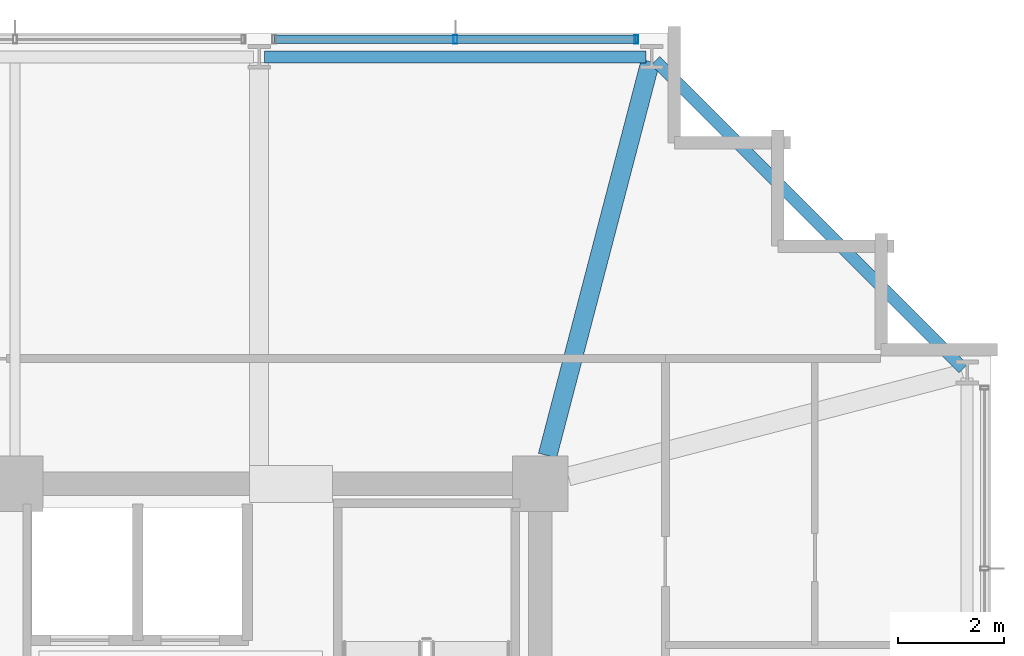
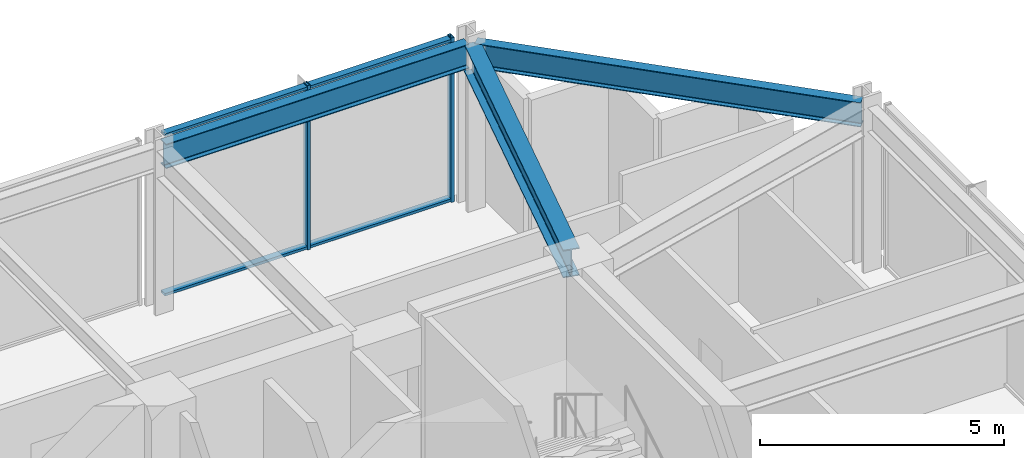
# One storey, part 17 of 26: 4 members, 3 beams, 1 element without a shape of its own.
"""IFC4 building model written with IfcOpenShell, lengths in metres."""

import ifcopenshell
import ifcopenshell.guid

model = None  # the IFC model being written
_history = None  # IfcOwnerHistory: only IFC2X3 demands one
_inside = {}  # id of a spatial element -> (the spatial element, [elements in it])
_under = {}  # id of a project, library or spatial element -> (it, [spatial elements below it])
_declared = {}  # id of a project -> (the project, [libraries it declares])
_typed = {}  # id of a type object -> (the type object, [elements of that type])
_made_of = {}  # id of a material, layer set ... -> (it, [elements and type objects made of it])


def new_model(schema):
    """Start an empty IFC model of exactly this schema.

    Asked for "IFC4X3", IfcOpenShell would pick the latest addendum, in which some entities
    have other attributes; the version numbers below select the first issue.
    IFC2X3 requires an IfcOwnerHistory on every rooted entity: one is made here for all.
    """
    global model, _history
    if schema == "IFC4X3":
        model = ifcopenshell.file(schema_version=(4, 3, 0, 0))
    else:
        model = ifcopenshell.file(schema=schema)
    _inside.clear()
    _under.clear()
    _declared.clear()
    _typed.clear()
    _made_of.clear()
    _history = None
    if model.schema == "IFC2X3":
        org = make("IfcOrganization", Name="unknown")
        user = make(
            "IfcPersonAndOrganization",
            ThePerson=make("IfcPerson", FamilyName="unknown"),
            TheOrganization=org,
        )
        app = make(
            "IfcApplication",
            ApplicationDeveloper=org,
            Version="unknown",
            ApplicationFullName="unknown",
            ApplicationIdentifier="unknown",
        )
        _history = make(
            "IfcOwnerHistory",
            OwningUser=user,
            OwningApplication=app,
            ChangeAction="ADDED",
            CreationDate=0,
        )
    return model


def make(cls, **values):
    """One entity of the class cls with the attributes given. An attribute that is None is left unset."""
    return model.create_entity(
        cls, **{name: value for name, value in values.items() if value is not None}
    )


def rooted(cls, **values):
    """An entity with a GlobalId (a new one), such as an element, a storey or a relation."""
    return make(cls, GlobalId=ifcopenshell.guid.new(), OwnerHistory=_history, **values)


def si_unit(unit_type, name, prefix=None):
    """IfcSIUnit, for example si_unit("LENGTHUNIT", "METRE", prefix="MILLI")."""
    return make("IfcSIUnit", UnitType=unit_type, Prefix=prefix, Name=name)


def assignment(units):
    """IfcUnitAssignment: the units of a project."""
    return None if units is None else make("IfcUnitAssignment", Units=units)


def point(xyz):
    """IfcCartesianPoint."""
    return None if xyz is None else make("IfcCartesianPoint", Coordinates=xyz)


def direction(xyz):
    """IfcDirection."""
    return None if xyz is None else make("IfcDirection", DirectionRatios=xyz)


def frame(location, z_axis=None, x_axis=None):
    """IfcAxis2Placement3D, a coordinate frame: its origin and axes. An axis left out is left unset."""
    return make(
        "IfcAxis2Placement3D",
        Location=point(location),
        Axis=direction(z_axis),
        RefDirection=direction(x_axis),
    )


def frame_2d(location, x_axis=None):
    """IfcAxis2Placement2D, a coordinate frame in the plane: its origin and x axis."""
    return make(
        "IfcAxis2Placement2D", Location=point(location), RefDirection=direction(x_axis)
    )


def origin():
    """The frame at (0, 0, 0) with its axes left unset."""
    return frame((0.0, 0.0, 0.0))


def origin_2d():
    """The frame at (0, 0) in the plane with its x axis left unset."""
    return frame_2d((0.0, 0.0))


def place(relative_to, where):
    """IfcLocalPlacement: puts the frame where relative to a parent placement (None: the world)."""
    return make(
        "IfcLocalPlacement", PlacementRelTo=relative_to, RelativePlacement=where
    )


def context(
    kind, dimensions, precision=None, world=None, true_north=None, identifier=None
):
    """IfcGeometricRepresentationContext, for example the 3D "Model" context."""
    return make(
        "IfcGeometricRepresentationContext",
        ContextIdentifier=identifier,
        ContextType=kind,
        CoordinateSpaceDimension=dimensions,
        Precision=precision,
        WorldCoordinateSystem=world,
        TrueNorth=true_north,
    )


def subcontext(parent, identifier, kind, view, scale=None):
    """IfcGeometricRepresentationSubContext, for example "Body" below "Model"."""
    return make(
        "IfcGeometricRepresentationSubContext",
        ContextIdentifier=identifier,
        ContextType=kind,
        ParentContext=parent,
        TargetScale=scale,
        TargetView=view,
    )


def project(units=None, contexts=None):
    """IfcProject with its units and contexts."""
    return rooted(
        "IfcProject",
        Name="project",
        RepresentationContexts=contexts,
        UnitsInContext=assignment(units),
    )


def spatial(cls, under=None, at=None, **own):
    """A site, building, storey or space (cls), placed at a placement, below another one or the project."""
    s = rooted(cls, ObjectPlacement=at, **own)
    if under is not None:
        _under.setdefault(under.id(), (under, []))[1].append(s)
    return s


def profile(cls, at=None, kind="AREA", **sizes):
    """A parametric profile (cls). Its sizes go by their IFC names, for example OverallWidth=200.0."""
    return make(cls, ProfileType=kind, Position=at, **sizes)


def hollow_rectangle(**sizes):
    """IfcRectangleHollowProfileDef."""
    return profile("IfcRectangleHollowProfileDef", **sizes)


def i_section(**sizes):
    """IfcIShapeProfileDef."""
    return profile("IfcIShapeProfileDef", **sizes)


def extrude(swept, where, along, depth):
    """IfcExtrudedAreaSolid: the profile swept, set in the frame where, extruded along a direction by depth."""
    return make(
        "IfcExtrudedAreaSolid",
        SweptArea=swept,
        Position=where,
        ExtrudedDirection=direction(along),
        Depth=depth,
    )


def shape(context_of_items, identifier, shape_type, items):
    """IfcShapeRepresentation: the items that make up one representation, for example the "Body"."""
    return make(
        "IfcShapeRepresentation",
        ContextOfItems=context_of_items,
        RepresentationIdentifier=identifier,
        RepresentationType=shape_type,
        Items=items,
    )


def material(Name=None, Category=None):
    """IfcMaterial."""
    return make("IfcMaterial", Name=Name, Category=Category)


def material_profile(
    of_material, cross_section, Name=None, Category=None, Priority=None
):
    """IfcMaterialProfile: a cross section and its material."""
    return make(
        "IfcMaterialProfile",
        Name=Name,
        Material=of_material,
        Profile=cross_section,
        Priority=Priority,
        Category=Category,
    )


def profile_set(profiles, Name=None, composite=None):
    """IfcMaterialProfileSet."""
    return make(
        "IfcMaterialProfileSet",
        Name=Name,
        MaterialProfiles=profiles,
        CompositeProfile=composite,
    )


def made_of(thing, what):
    """Note that an element or type object is made of a material, layer set ...; save() writes the relation."""
    if what is not None:
        _made_of.setdefault(what.id(), (what, []))[1].append(thing)
    return thing


def type_object(cls, material=None, **own):
    """A type object (cls), such as IfcWallType, which elements share."""
    return made_of(rooted(cls, **own), material)


def element(
    cls,
    number,
    at=None,
    inside=None,
    cuts=None,
    type_object=None,
    material=None,
    context=None,
    identifier="Body",
    shape_type=None,
    held_by="IfcProductDefinitionShape",
    body=None,
    shapes=None,
    **own,
):
    """One element of the class cls, such as IfcWall. Its Tag is "e" and its number.

    at: its placement. inside: the storey or other place that contains it. cuts: it is an
    opening in that element (IfcRelVoidsElement). A single representation is given by context,
    identifier, shape_type and body (its items); several are given by shapes. held_by: the class
    of the entity that holds the representations. save() writes the other relations.
    """
    e = rooted(cls, Tag="e%d" % number, ObjectPlacement=at, **own)
    if body is not None:
        shapes = [shape(context, identifier, shape_type, body)]
    if shapes is not None:
        e.Representation = make(held_by, Representations=shapes)
    if inside is not None:
        _inside.setdefault(inside.id(), (inside, []))[1].append(e)
    if cuts is not None:
        rooted(
            "IfcRelVoidsElement", RelatingBuildingElement=cuts, RelatedOpeningElement=e
        )
    if type_object is not None:
        _typed.setdefault(type_object.id(), (type_object, []))[1].append(e)
    return made_of(e, material)


def aggregate(whole, parts):
    """IfcRelAggregates: a whole, such as a stair, and the parts it consists of."""
    return rooted("IfcRelAggregates", RelatingObject=whole, RelatedObjects=parts)


def save(model, path):
    """Write the relations noted so far, then the file.

    IfcRelAggregates (storeys below a building ...), IfcRelContainedInSpatialStructure (elements
    in a storey), IfcRelDefinesByType, IfcRelAssociatesMaterial and IfcRelDeclares: one each for
    every whole, place, type object, material and project.
    """
    for whole, parts in _under.values():
        aggregate(whole, parts)
    for where, things in _inside.values():
        rooted(
            "IfcRelContainedInSpatialStructure",
            RelatedElements=things,
            RelatingStructure=where,
        )
    for kind, things in _typed.values():
        rooted("IfcRelDefinesByType", RelatedObjects=things, RelatingType=kind)
    for what, things in _made_of.values():
        rooted("IfcRelAssociatesMaterial", RelatedObjects=things, RelatingMaterial=what)
    for by, libraries in _declared.values():
        rooted("IfcRelDeclares", RelatingContext=by, RelatedDefinitions=libraries)
    model.write(path)


model = new_model("IFC4")

# Units and contexts
model_context = context("Model", 3, precision=1e-05, world=origin(), true_north=direction((0.0, 1.0)))
body_context = subcontext(model_context, "Body", "Model", "MODEL_VIEW")
ifc_project = project(units=[si_unit("LENGTHUNIT", "METRE"), si_unit("AREAUNIT", "SQUARE_METRE"), si_unit("VOLUMEUNIT", "CUBIC_METRE"), si_unit("PLANEANGLEUNIT", "RADIAN"), si_unit("MASSUNIT", "GRAM", prefix="KILO")], contexts=[model_context])

# Site, building, storey
site_placement = place(None, origin())
site = spatial("IfcSite", under=ifc_project, at=site_placement, CompositionType="ELEMENT")
building_placement = place(site_placement, origin())
building = spatial("IfcBuilding", under=site, at=building_placement, Name="Kolvaren Belvedere", CompositionType="ELEMENT")
storey_placement = place(building_placement, frame((0.0, 0.0, 258.39990234375)))
storey = spatial("IfcBuildingStorey", under=building, at=storey_placement, Name="L75", CompositionType="ELEMENT", Elevation=258.39990234375)

# Beams
ifc_material_1 = material(Name="Structural steel ASTM A992 Grade 50", Category="steel")
ifc_material_profile_1 = material_profile(ifc_material_1, i_section(OverallWidth=0.35498046875, OverallDepth=0.696044921875, WebThickness=0.015380859375, FlangeThickness=0.02490234375, FilletRadius=0.02197265625, at=origin_2d()), Name="W27X146")
ifc_profile_set_1 = profile_set([ifc_material_profile_1], Name="Structural steel ASTM A992 Grade 50")
beam_type_1 = type_object("IfcBeamType", Name="BM-GIRD-W27X146", PredefinedType="BEAM", material=ifc_profile_set_1)
beam_1_placement = place(storey_placement, frame((10.038818359375, 10.43212890625, 3.772216796875), z_axis=(0.252423191796, 0.967616934661, 0.0), x_axis=(-0.967616934661, 0.252423191796, 0.0)))
element("IfcBeam", 1, at=beam_1_placement, inside=storey, type_object=beam_type_1, Name="L75 Corner Core-to-Perimeter Girder CC3-N4", PredefinedType="BEAM", context=body_context, shape_type="SweptSolid", body=[
    extrude(i_section(OverallWidth=0.35498046875, OverallDepth=0.696044921875, WebThickness=0.015380859375, FlangeThickness=0.02490234375, FilletRadius=0.02197265625, at=origin_2d()), origin(), (0.0, 0.0, 1.0), 7.676513671875),
])
ifc_material_2 = material(Name="Structural steel ASTM A992 Grade 50", Category="steel")
ifc_material_profile_2 = material_profile(ifc_material_2, i_section(OverallWidth=0.22900390625, OverallDepth=0.612060546875, WebThickness=0.011962890625, FlangeThickness=0.01953125, FilletRadius=0.01806640625, at=origin_2d()), Name="W24X84")
ifc_profile_set_2 = profile_set([ifc_material_profile_2], Name="Structural steel ASTM A992 Grade 50")
beam_type_2 = type_object("IfcBeamType", Name="BM-SPAN-W24X84", PredefinedType="SPANDREL", material=ifc_profile_set_2)
beam_2_placement = place(storey_placement, frame((17.8759765625, 12.073974609375, 3.814208984375), z_axis=(-0.707106781187, 0.707106781187, 0.0), x_axis=(-0.707106781187, -0.707106781187, 0.0)))
element("IfcBeam", 2, at=beam_2_placement, inside=storey, type_object=beam_type_2, Name="L75 Perimeter Spandrel E4-N4", PredefinedType="SPANDREL", context=body_context, shape_type="SweptSolid", body=[
    extrude(i_section(OverallWidth=0.22900390625, OverallDepth=0.612060546875, WebThickness=0.011962890625, FlangeThickness=0.01953125, FilletRadius=0.01806640625, at=origin_2d()), origin(), (0.0, 0.0, 1.0), 8.205322265625),
])
beam_3_placement = place(storey_placement, frame((11.8955078125, 17.949951171875, 3.814208984375), z_axis=(-1.0, 0.0, 0.0), x_axis=(0.0, -1.0, 0.0)))
element("IfcBeam", 3, at=beam_3_placement, inside=storey, type_object=beam_type_2, Name="L75 Perimeter Spandrel N4-N3", PredefinedType="SPANDREL", context=body_context, shape_type="SweptSolid", body=[
    extrude(i_section(OverallWidth=0.22900390625, OverallDepth=0.612060546875, WebThickness=0.011962890625, FlangeThickness=0.01953125, FilletRadius=0.01806640625, at=origin_2d()), origin(), (0.0, 0.0, 1.0), 7.19091796875),
])

# Curtain wall, members
ifc_material_3 = material(Name="Anodised pale-metal aluminium AA 6063-T6", Category="aluminium")
curtain_wall_type = type_object("IfcCurtainWallType", Name="CW-CRN-OBS", PredefinedType="NOTDEFINED", material=ifc_material_3)
curtain_wall_placement = place(storey_placement, origin())
curtain_wall = element("IfcCurtainWall", 4, at=curtain_wall_placement, inside=storey, type_object=curtain_wall_type, Name="L75 Unitised Curtain Wall FCW-L75-N-B3", PredefinedType="NOTDEFINED")
ifc_material_4 = material(Name="Anodised pale-metal aluminium AA 6063-T6", Category="aluminium")
ifc_material_profile_3 = material_profile(ifc_material_4, hollow_rectangle(XDim=0.074951171875, YDim=0.159912109375, WallThickness=0.00439453125, at=origin_2d()), Name="ALU-MUL-160X75")
ifc_profile_set_3 = profile_set([ifc_material_profile_3], Name="Anodised pale-metal aluminium AA 6063-T6")
member_type_1 = type_object("IfcMemberType", Name="CW-MUL-160", PredefinedType="MULLION", material=ifc_profile_set_3)
member_1_placement = place(storey_placement, frame((8.300048828125, 18.280029296875, 0.0), z_axis=(0.0, 0.0, 1.0), x_axis=(1.0, 0.0, 0.0)))
member_1 = element("IfcMember", 5, at=member_1_placement, type_object=member_type_1, Name="FCW-L75-N-B3 Unitised Mullion 2", PredefinedType="MULLION", context=body_context, shape_type="SweptSolid", body=[
    extrude(hollow_rectangle(XDim=0.074951171875, YDim=0.159912109375, WallThickness=0.00439453125, at=origin_2d()), origin(), (0.0, 0.0, 1.0), 4.1201171875),
])
member_2_placement = place(storey_placement, frame((11.7099609375, 18.280029296875, 0.0), z_axis=(0.0, 0.0, 1.0), x_axis=(1.0, 0.0, 0.0)))
member_2 = element("IfcMember", 6, at=member_2_placement, type_object=member_type_1, Name="FCW-L75-N-B3 Unitised Mullion 3", PredefinedType="MULLION", context=body_context, shape_type="SweptSolid", body=[
    extrude(hollow_rectangle(XDim=0.074951171875, YDim=0.159912109375, WallThickness=0.00439453125, at=origin_2d()), origin(), (0.0, 0.0, 1.0), 4.1201171875),
])
ifc_material_5 = material(Name="Anodised pale-metal aluminium AA 6063-T6", Category="aluminium")
ifc_material_profile_4 = material_profile(ifc_material_5, hollow_rectangle(XDim=0.06494140625, YDim=0.159912109375, WallThickness=0.00390625, at=origin_2d()), Name="ALU-TRN-160X65")
ifc_profile_set_4 = profile_set([ifc_material_profile_4], Name="Anodised pale-metal aluminium AA 6063-T6")
member_type_2 = type_object("IfcMemberType", Name="CW-TRN-160", PredefinedType="USERDEFINED", material=ifc_profile_set_4)
member_3_placement = place(storey_placement, frame((4.889892578125, 18.280029296875, 0.06005859375), z_axis=(1.0, 0.0, 0.0), x_axis=(0.0, 0.0, 1.0)))
member_3 = element("IfcMember", 7, at=member_3_placement, type_object=member_type_2, Name="FCW-L75-N-B3 Sill Transom", ObjectType="TRANSOM", PredefinedType="USERDEFINED", context=body_context, shape_type="SweptSolid", body=[
    extrude(hollow_rectangle(XDim=0.06494140625, YDim=0.159912109375, WallThickness=0.00390625, at=origin_2d()), origin(), (0.0, 0.0, 1.0), 6.820068359375),
])
member_4_placement = place(storey_placement, frame((4.889892578125, 18.280029296875, 4.06005859375), z_axis=(1.0, 0.0, 0.0), x_axis=(0.0, 0.0, 1.0)))
member_4 = element("IfcMember", 8, at=member_4_placement, type_object=member_type_2, Name="FCW-L75-N-B3 Head Transom", ObjectType="TRANSOM", PredefinedType="USERDEFINED", context=body_context, shape_type="SweptSolid", body=[
    extrude(hollow_rectangle(XDim=0.06494140625, YDim=0.159912109375, WallThickness=0.00390625, at=origin_2d()), origin(), (0.0, 0.0, 1.0), 6.820068359375),
])
aggregate(curtain_wall, [member_1, member_2, member_3, member_4])

save(model, "model.ifc")
